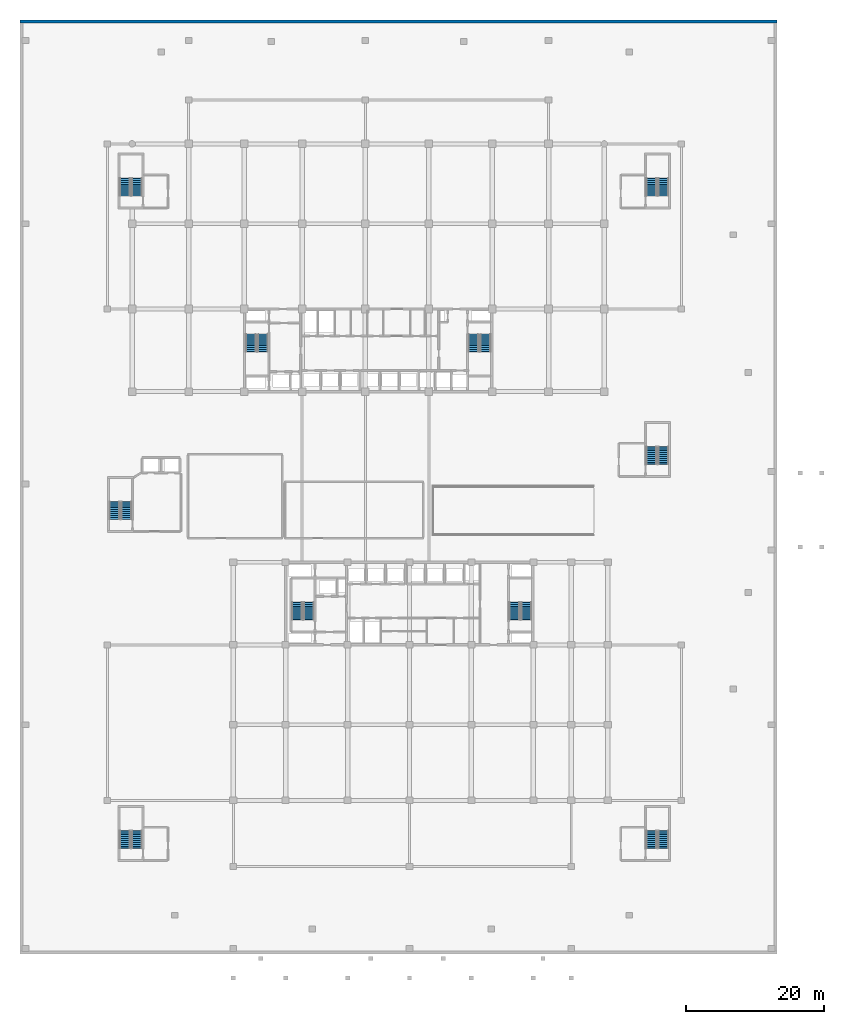
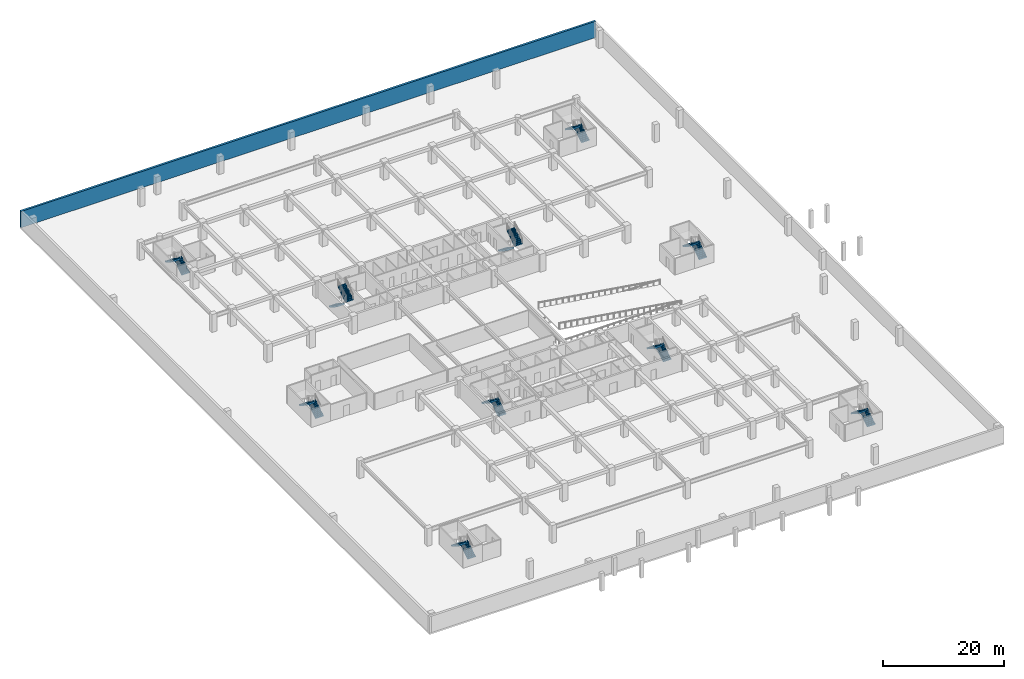
# One storey, part 14 of 22: 20 stair flights, 1 wall, 10 elements without a shape of their own.
"""IFC4 building model written with IfcOpenShell, lengths in metres."""

from ifc_helpers import new_model, si_unit, direction, frame, frame_2d, origin, place, context, subcontext, project, spatial, polyline, rectangle, outline, extrude, material, layer, layer_set, type_object, element, aggregate, save


model = new_model("IFC4")

# Units and contexts
model_context = context("Model", 3, precision=1e-05, world=origin(), true_north=direction((0.0, 1.0)))
body_context = subcontext(model_context, "Body", "Model", "MODEL_VIEW")
ifc_project = project(units=[si_unit("LENGTHUNIT", "METRE"), si_unit("AREAUNIT", "SQUARE_METRE"), si_unit("VOLUMEUNIT", "CUBIC_METRE"), si_unit("PLANEANGLEUNIT", "RADIAN"), si_unit("MASSUNIT", "GRAM", prefix="KILO")], contexts=[model_context])

# Site, building, storey
site_placement = place(None, origin())
site = spatial("IfcSite", under=ifc_project, at=site_placement, CompositionType="ELEMENT")
building_placement = place(site_placement, origin())
building = spatial("IfcBuilding", under=site, at=building_placement, Name="Korimba Cascade Residences", CompositionType="ELEMENT")
storey_placement = place(building_placement, frame((0.0, 0.0, -7.199951171875)))
storey = spatial("IfcBuildingStorey", under=building, at=storey_placement, Name="B02", CompositionType="ELEMENT", Elevation=-7.199951171875)

# Wall
ifc_material = material(Name="Concrete C50/60", Category="concrete")
ifc_layer = layer(ifc_material, 0.39990234375)
ifc_layer_set = layer_set([ifc_layer], Name="Concrete C50/60")
wall_type = type_object("IfcWallType", Name="EW-RET-400", PredefinedType="USERDEFINED", material=ifc_layer_set)
wall_placement = place(storey_placement, frame((153.5, 109.0, 0.0), z_axis=(0.0, 0.0, 1.0), x_axis=(-1.0, 0.0, 0.0)))
element("IfcWall", 1, at=wall_placement, inside=storey, type_object=wall_type, Name="B02 Basement Retaining Wall N", ObjectType="RETAININGWALL", PredefinedType="USERDEFINED", context=body_context, shape_type="SweptSolid", body=[
    extrude(rectangle(XDim=110.0, YDim=0.39990234375, at=frame_2d((55.0, 0.0))), origin(), (0.0, 0.0, 1.0), 3.300048828125),
])

# Stair, stair flights
stair_type_1 = type_object("IfcStairType", Name="STR-W1-20R-1800", PredefinedType="HALF_TURN_STAIR", material=ifc_material)
stair_1_placement = place(storey_placement, origin())
stair_1 = element("IfcStair", 2, at=stair_1_placement, inside=storey, type_object=stair_type_1, Name="B02 Tower 1 West Fire Stair ST-W1", PredefinedType="HALF_TURN_STAIR")
stair_flight_type = type_object("IfcStairFlightType", Name="STF-DL-20R-1800-1520", PredefinedType="STRAIGHT", material=ifc_material)
stair_flight_1_placement = place(storey_placement, frame((77.06005859375, 63.550048828125, 0.0), z_axis=(0.0, 0.0, 1.0), x_axis=(0.0, -1.0, 0.0)))
stair_flight_1 = element("IfcStairFlight", 3, at=stair_flight_1_placement, type_object=stair_flight_type, Name="ST-W1 flight 1", NumberOfRisers=10, NumberOfTreads=9, PredefinedType="STRAIGHT", RiserHeight=0.18, TreadLength=0.28, context=body_context, shape_type="SweptSolid", body=[
    extrude(outline(polyline([(-0.0380859375, 0.0), (0.0, 0.179931640625), (0.280029296875, 0.179931640625), (0.280029296875, 0.360107421875), (0.56005859375, 0.360107421875), (0.56005859375, 0.5400390625), (0.840087890625, 0.5400390625), (0.840087890625, 0.719970703125), (1.1201171875, 0.719970703125), (1.1201171875, 0.89990234375), (1.39990234375, 0.89990234375), (1.39990234375, 1.080078125), (1.679931640625, 1.080078125), (1.679931640625, 1.260009765625), (1.9599609375, 1.260009765625), (1.9599609375, 1.43994140625), (2.239990234375, 1.43994140625), (2.239990234375, 1.6201171875), (2.52001953125, 1.6201171875), (2.52001953125, 1.800048828125), (2.55810546875, 1.800048828125), (2.55810546875, 1.44189453125), (0.277099609375, 0.0), (0.277099609375, -0.0380859375), (-0.0380859375, -0.0380859375), (-0.0380859375, 0.0)])), frame((0.0, 0.760009765625, 0.0), z_axis=(0.0, -1.0, 0.0), x_axis=(1.0, 0.0, 0.0)), (0.0, 0.0, 1.0), 1.52001953125),
])
stair_flight_2_placement = place(storey_placement, frame((78.780029296875, 61.030029296875, 1.800048828125), z_axis=(0.0, 0.0, 1.0), x_axis=(0.0, 1.0, 0.0)))
stair_flight_2 = element("IfcStairFlight", 4, at=stair_flight_2_placement, type_object=stair_flight_type, Name="ST-W1 flight 2", NumberOfRisers=10, NumberOfTreads=9, PredefinedType="STRAIGHT", RiserHeight=0.18, TreadLength=0.28, context=body_context, shape_type="SweptSolid", body=[
    extrude(outline(polyline([(-0.0380859375, 0.0), (0.0, 0.179931640625), (0.280029296875, 0.179931640625), (0.280029296875, 0.360107421875), (0.56005859375, 0.360107421875), (0.56005859375, 0.5400390625), (0.840087890625, 0.5400390625), (0.840087890625, 0.719970703125), (1.1201171875, 0.719970703125), (1.1201171875, 0.89990234375), (1.39990234375, 0.89990234375), (1.39990234375, 1.080078125), (1.679931640625, 1.080078125), (1.679931640625, 1.260009765625), (1.9599609375, 1.260009765625), (1.9599609375, 1.43994140625), (2.239990234375, 1.43994140625), (2.239990234375, 1.6201171875), (2.52001953125, 1.6201171875), (2.52001953125, 1.800048828125), (2.55810546875, 1.800048828125), (2.55810546875, 1.44189453125), (0.277099609375, 0.0), (0.277099609375, -0.0380859375), (-0.0380859375, -0.0380859375), (-0.0380859375, 0.0)])), frame((0.0, 0.760009765625, 0.0), z_axis=(0.0, -1.0, 0.0), x_axis=(1.0, 0.0, 0.0)), (0.0, 0.0, 1.0), 1.52001953125),
])
aggregate(stair_1, [stair_flight_1, stair_flight_2])

stair_type_2 = type_object("IfcStairType", Name="STR-W2-20R-1800", PredefinedType="HALF_TURN_STAIR", material=ifc_material)
stair_2_placement = place(storey_placement, origin())
stair_2 = element("IfcStair", 5, at=stair_2_placement, inside=storey, type_object=stair_type_2, Name="B02 Tower 1 East Fire Stair ST-W2", PredefinedType="HALF_TURN_STAIR")
stair_flight_3_placement = place(storey_placement, frame((109.419921875, 63.550048828125, 0.0), z_axis=(0.0, 0.0, 1.0), x_axis=(0.0, -1.0, 0.0)))
stair_flight_3 = element("IfcStairFlight", 6, at=stair_flight_3_placement, type_object=stair_flight_type, Name="ST-W2 flight 1", NumberOfRisers=10, NumberOfTreads=9, PredefinedType="STRAIGHT", RiserHeight=0.18, TreadLength=0.28, context=body_context, shape_type="SweptSolid", body=[
    extrude(outline(polyline([(-0.0380859375, 0.0), (0.0, 0.179931640625), (0.280029296875, 0.179931640625), (0.280029296875, 0.360107421875), (0.56005859375, 0.360107421875), (0.56005859375, 0.5400390625), (0.840087890625, 0.5400390625), (0.840087890625, 0.719970703125), (1.1201171875, 0.719970703125), (1.1201171875, 0.89990234375), (1.39990234375, 0.89990234375), (1.39990234375, 1.080078125), (1.679931640625, 1.080078125), (1.679931640625, 1.260009765625), (1.9599609375, 1.260009765625), (1.9599609375, 1.43994140625), (2.239990234375, 1.43994140625), (2.239990234375, 1.6201171875), (2.52001953125, 1.6201171875), (2.52001953125, 1.800048828125), (2.55810546875, 1.800048828125), (2.55810546875, 1.44189453125), (0.277099609375, 0.0), (0.277099609375, -0.0380859375), (-0.0380859375, -0.0380859375), (-0.0380859375, 0.0)])), frame((0.0, 0.760009765625, 0.0), z_axis=(0.0, -1.0, 0.0), x_axis=(1.0, 0.0, 0.0)), (0.0, 0.0, 1.0), 1.52001953125),
])
stair_flight_4_placement = place(storey_placement, frame((111.139892578125, 61.030029296875, 1.800048828125), z_axis=(0.0, 0.0, 1.0), x_axis=(0.0, 1.0, 0.0)))
stair_flight_4 = element("IfcStairFlight", 7, at=stair_flight_4_placement, type_object=stair_flight_type, Name="ST-W2 flight 2", NumberOfRisers=10, NumberOfTreads=9, PredefinedType="STRAIGHT", RiserHeight=0.18, TreadLength=0.28, context=body_context, shape_type="SweptSolid", body=[
    extrude(outline(polyline([(-0.0380859375, 0.0), (0.0, 0.179931640625), (0.280029296875, 0.179931640625), (0.280029296875, 0.360107421875), (0.56005859375, 0.360107421875), (0.56005859375, 0.5400390625), (0.840087890625, 0.5400390625), (0.840087890625, 0.719970703125), (1.1201171875, 0.719970703125), (1.1201171875, 0.89990234375), (1.39990234375, 0.89990234375), (1.39990234375, 1.080078125), (1.679931640625, 1.080078125), (1.679931640625, 1.260009765625), (1.9599609375, 1.260009765625), (1.9599609375, 1.43994140625), (2.239990234375, 1.43994140625), (2.239990234375, 1.6201171875), (2.52001953125, 1.6201171875), (2.52001953125, 1.800048828125), (2.55810546875, 1.800048828125), (2.55810546875, 1.44189453125), (0.277099609375, 0.0), (0.277099609375, -0.0380859375), (-0.0380859375, -0.0380859375), (-0.0380859375, 0.0)])), frame((0.0, 0.760009765625, 0.0), z_axis=(0.0, -1.0, 0.0), x_axis=(1.0, 0.0, 0.0)), (0.0, 0.0, 1.0), 1.52001953125),
])
aggregate(stair_2, [stair_flight_3, stair_flight_4])

stair_type_3 = type_object("IfcStairType", Name="STR-E1-20R-1800", PredefinedType="HALF_TURN_STAIR", material=ifc_material)
stair_3_placement = place(storey_placement, origin())
stair_3 = element("IfcStair", 8, at=stair_3_placement, inside=storey, type_object=stair_type_3, Name="B02 Tower 2 West Fire Stair ST-E1", PredefinedType="HALF_TURN_STAIR")
stair_flight_5_placement = place(storey_placement, frame((85.47998046875, 22.050048828125, 0.0), z_axis=(0.0, 0.0, 1.0), x_axis=(0.0, 1.0, 0.0)))
stair_flight_5 = element("IfcStairFlight", 9, at=stair_flight_5_placement, type_object=stair_flight_type, Name="ST-E1 flight 1", NumberOfRisers=10, NumberOfTreads=9, PredefinedType="STRAIGHT", RiserHeight=0.18, TreadLength=0.28, context=body_context, shape_type="SweptSolid", body=[
    extrude(outline(polyline([(-0.0380859375, 0.0), (0.0, 0.179931640625), (0.280029296875, 0.179931640625), (0.280029296875, 0.360107421875), (0.56005859375, 0.360107421875), (0.56005859375, 0.5400390625), (0.840087890625, 0.5400390625), (0.840087890625, 0.719970703125), (1.1201171875, 0.719970703125), (1.1201171875, 0.89990234375), (1.39990234375, 0.89990234375), (1.39990234375, 1.080078125), (1.679931640625, 1.080078125), (1.679931640625, 1.260009765625), (1.9599609375, 1.260009765625), (1.9599609375, 1.43994140625), (2.239990234375, 1.43994140625), (2.239990234375, 1.6201171875), (2.52001953125, 1.6201171875), (2.52001953125, 1.800048828125), (2.55810546875, 1.800048828125), (2.55810546875, 1.44189453125), (0.277099609375, 0.0), (0.277099609375, -0.0380859375), (-0.0380859375, -0.0380859375), (-0.0380859375, 0.0)])), frame((0.0, 0.760009765625, 0.0), z_axis=(0.0, -1.0, 0.0), x_axis=(1.0, 0.0, 0.0)), (0.0, 0.0, 1.0), 1.52001953125),
])
stair_flight_6_placement = place(storey_placement, frame((83.760009765625, 24.570068359375, 1.800048828125), z_axis=(0.0, 0.0, 1.0), x_axis=(0.0, -1.0, 0.0)))
stair_flight_6 = element("IfcStairFlight", 10, at=stair_flight_6_placement, type_object=stair_flight_type, Name="ST-E1 flight 2", NumberOfRisers=10, NumberOfTreads=9, PredefinedType="STRAIGHT", RiserHeight=0.18, TreadLength=0.28, context=body_context, shape_type="SweptSolid", body=[
    extrude(outline(polyline([(-0.0380859375, 0.0), (0.0, 0.179931640625), (0.280029296875, 0.179931640625), (0.280029296875, 0.360107421875), (0.56005859375, 0.360107421875), (0.56005859375, 0.5400390625), (0.840087890625, 0.5400390625), (0.840087890625, 0.719970703125), (1.1201171875, 0.719970703125), (1.1201171875, 0.89990234375), (1.39990234375, 0.89990234375), (1.39990234375, 1.080078125), (1.679931640625, 1.080078125), (1.679931640625, 1.260009765625), (1.9599609375, 1.260009765625), (1.9599609375, 1.43994140625), (2.239990234375, 1.43994140625), (2.239990234375, 1.6201171875), (2.52001953125, 1.6201171875), (2.52001953125, 1.800048828125), (2.55810546875, 1.800048828125), (2.55810546875, 1.44189453125), (0.277099609375, 0.0), (0.277099609375, -0.0380859375), (-0.0380859375, -0.0380859375), (-0.0380859375, 0.0)])), frame((0.0, 0.760009765625, 0.0), z_axis=(0.0, -1.0, 0.0), x_axis=(1.0, 0.0, 0.0)), (0.0, 0.0, 1.0), 1.52001953125),
])
aggregate(stair_3, [stair_flight_5, stair_flight_6])

stair_type_4 = type_object("IfcStairType", Name="STR-E2-20R-1800", PredefinedType="HALF_TURN_STAIR", material=ifc_material)
stair_4_placement = place(storey_placement, origin())
stair_4 = element("IfcStair", 11, at=stair_4_placement, inside=storey, type_object=stair_type_4, Name="B02 Tower 2 East Fire Stair ST-E2", PredefinedType="HALF_TURN_STAIR")
stair_flight_7_placement = place(storey_placement, frame((117.080078125, 22.050048828125, 0.0), z_axis=(0.0, 0.0, 1.0), x_axis=(0.0, 1.0, 0.0)))
stair_flight_7 = element("IfcStairFlight", 12, at=stair_flight_7_placement, type_object=stair_flight_type, Name="ST-E2 flight 1", NumberOfRisers=10, NumberOfTreads=9, PredefinedType="STRAIGHT", RiserHeight=0.18, TreadLength=0.28, context=body_context, shape_type="SweptSolid", body=[
    extrude(outline(polyline([(-0.0380859375, 0.0), (0.0, 0.179931640625), (0.280029296875, 0.179931640625), (0.280029296875, 0.360107421875), (0.56005859375, 0.360107421875), (0.56005859375, 0.5400390625), (0.840087890625, 0.5400390625), (0.840087890625, 0.719970703125), (1.1201171875, 0.719970703125), (1.1201171875, 0.89990234375), (1.39990234375, 0.89990234375), (1.39990234375, 1.080078125), (1.679931640625, 1.080078125), (1.679931640625, 1.260009765625), (1.9599609375, 1.260009765625), (1.9599609375, 1.43994140625), (2.239990234375, 1.43994140625), (2.239990234375, 1.6201171875), (2.52001953125, 1.6201171875), (2.52001953125, 1.800048828125), (2.55810546875, 1.800048828125), (2.55810546875, 1.44189453125), (0.277099609375, 0.0), (0.277099609375, -0.0380859375), (-0.0380859375, -0.0380859375), (-0.0380859375, 0.0)])), frame((0.0, 0.760009765625, 0.0), z_axis=(0.0, -1.0, 0.0), x_axis=(1.0, 0.0, 0.0)), (0.0, 0.0, 1.0), 1.52001953125),
])
stair_flight_8_placement = place(storey_placement, frame((115.360107421875, 24.570068359375, 1.800048828125), z_axis=(0.0, 0.0, 1.0), x_axis=(0.0, -1.0, 0.0)))
stair_flight_8 = element("IfcStairFlight", 13, at=stair_flight_8_placement, type_object=stair_flight_type, Name="ST-E2 flight 2", NumberOfRisers=10, NumberOfTreads=9, PredefinedType="STRAIGHT", RiserHeight=0.18, TreadLength=0.28, context=body_context, shape_type="SweptSolid", body=[
    extrude(outline(polyline([(-0.0380859375, 0.0), (0.0, 0.179931640625), (0.280029296875, 0.179931640625), (0.280029296875, 0.360107421875), (0.56005859375, 0.360107421875), (0.56005859375, 0.5400390625), (0.840087890625, 0.5400390625), (0.840087890625, 0.719970703125), (1.1201171875, 0.719970703125), (1.1201171875, 0.89990234375), (1.39990234375, 0.89990234375), (1.39990234375, 1.080078125), (1.679931640625, 1.080078125), (1.679931640625, 1.260009765625), (1.9599609375, 1.260009765625), (1.9599609375, 1.43994140625), (2.239990234375, 1.43994140625), (2.239990234375, 1.6201171875), (2.52001953125, 1.6201171875), (2.52001953125, 1.800048828125), (2.55810546875, 1.800048828125), (2.55810546875, 1.44189453125), (0.277099609375, 0.0), (0.277099609375, -0.0380859375), (-0.0380859375, -0.0380859375), (-0.0380859375, 0.0)])), frame((0.0, 0.760009765625, 0.0), z_axis=(0.0, -1.0, 0.0), x_axis=(1.0, 0.0, 0.0)), (0.0, 0.0, 1.0), 1.52001953125),
])
aggregate(stair_4, [stair_flight_7, stair_flight_8])

stair_type_5 = type_object("IfcStairType", Name="STR-P1-20R-1800", PredefinedType="HALF_TURN_STAIR", material=ifc_material)
stair_5_placement = place(storey_placement, origin())
stair_5 = element("IfcStair", 14, at=stair_5_placement, inside=storey, type_object=stair_type_5, Name="B02 Podium West Fire Stair ST-P1", PredefinedType="HALF_TURN_STAIR")
stair_flight_9_placement = place(storey_placement, frame((58.97998046875, 36.64990234375, 0.0), z_axis=(0.0, 0.0, 1.0), x_axis=(0.0, 1.0, 0.0)))
stair_flight_9 = element("IfcStairFlight", 15, at=stair_flight_9_placement, type_object=stair_flight_type, Name="ST-P1 flight 1", NumberOfRisers=10, NumberOfTreads=9, PredefinedType="STRAIGHT", RiserHeight=0.18, TreadLength=0.28, context=body_context, shape_type="SweptSolid", body=[
    extrude(outline(polyline([(-0.0380859375, 0.0), (0.0, 0.179931640625), (0.280029296875, 0.179931640625), (0.280029296875, 0.360107421875), (0.56005859375, 0.360107421875), (0.56005859375, 0.5400390625), (0.840087890625, 0.5400390625), (0.840087890625, 0.719970703125), (1.1201171875, 0.719970703125), (1.1201171875, 0.89990234375), (1.39990234375, 0.89990234375), (1.39990234375, 1.080078125), (1.679931640625, 1.080078125), (1.679931640625, 1.260009765625), (1.9599609375, 1.260009765625), (1.9599609375, 1.43994140625), (2.239990234375, 1.43994140625), (2.239990234375, 1.6201171875), (2.52001953125, 1.6201171875), (2.52001953125, 1.800048828125), (2.55810546875, 1.800048828125), (2.55810546875, 1.44189453125), (0.277099609375, 0.0), (0.277099609375, -0.0380859375), (-0.0380859375, -0.0380859375), (-0.0380859375, 0.0)])), frame((0.0, 0.760009765625, 0.0), z_axis=(0.0, -1.0, 0.0), x_axis=(1.0, 0.0, 0.0)), (0.0, 0.0, 1.0), 1.52001953125),
])
stair_flight_10_placement = place(storey_placement, frame((57.260009765625, 39.169921875, 1.800048828125), z_axis=(0.0, 0.0, 1.0), x_axis=(0.0, -1.0, 0.0)))
stair_flight_10 = element("IfcStairFlight", 16, at=stair_flight_10_placement, type_object=stair_flight_type, Name="ST-P1 flight 2", NumberOfRisers=10, NumberOfTreads=9, PredefinedType="STRAIGHT", RiserHeight=0.18, TreadLength=0.28, context=body_context, shape_type="SweptSolid", body=[
    extrude(outline(polyline([(-0.0380859375, 0.0), (0.0, 0.179931640625), (0.280029296875, 0.179931640625), (0.280029296875, 0.360107421875), (0.56005859375, 0.360107421875), (0.56005859375, 0.5400390625), (0.840087890625, 0.5400390625), (0.840087890625, 0.719970703125), (1.1201171875, 0.719970703125), (1.1201171875, 0.89990234375), (1.39990234375, 0.89990234375), (1.39990234375, 1.080078125), (1.679931640625, 1.080078125), (1.679931640625, 1.260009765625), (1.9599609375, 1.260009765625), (1.9599609375, 1.43994140625), (2.239990234375, 1.43994140625), (2.239990234375, 1.6201171875), (2.52001953125, 1.6201171875), (2.52001953125, 1.800048828125), (2.55810546875, 1.800048828125), (2.55810546875, 1.44189453125), (0.277099609375, 0.0), (0.277099609375, -0.0380859375), (-0.0380859375, -0.0380859375), (-0.0380859375, 0.0)])), frame((0.0, 0.760009765625, 0.0), z_axis=(0.0, -1.0, 0.0), x_axis=(1.0, 0.0, 0.0)), (0.0, 0.0, 1.0), 1.52001953125),
])
aggregate(stair_5, [stair_flight_9, stair_flight_10])

stair_type_6 = type_object("IfcStairType", Name="STR-P2-20R-1800", PredefinedType="HALF_TURN_STAIR", material=ifc_material)
stair_6_placement = place(storey_placement, origin())
stair_6 = element("IfcStair", 17, at=stair_6_placement, inside=storey, type_object=stair_type_6, Name="B02 Podium East Fire Stair ST-P2", PredefinedType="HALF_TURN_STAIR")
stair_flight_11_placement = place(storey_placement, frame((136.97998046875, 44.64990234375, 0.0), z_axis=(0.0, 0.0, 1.0), x_axis=(0.0, 1.0, 0.0)))
stair_flight_11 = element("IfcStairFlight", 18, at=stair_flight_11_placement, type_object=stair_flight_type, Name="ST-P2 flight 1", NumberOfRisers=10, NumberOfTreads=9, PredefinedType="STRAIGHT", RiserHeight=0.18, TreadLength=0.28, context=body_context, shape_type="SweptSolid", body=[
    extrude(outline(polyline([(-0.0380859375, 0.0), (0.0, 0.179931640625), (0.280029296875, 0.179931640625), (0.280029296875, 0.360107421875), (0.56005859375, 0.360107421875), (0.56005859375, 0.5400390625), (0.840087890625, 0.5400390625), (0.840087890625, 0.719970703125), (1.1201171875, 0.719970703125), (1.1201171875, 0.89990234375), (1.39990234375, 0.89990234375), (1.39990234375, 1.080078125), (1.679931640625, 1.080078125), (1.679931640625, 1.260009765625), (1.9599609375, 1.260009765625), (1.9599609375, 1.43994140625), (2.239990234375, 1.43994140625), (2.239990234375, 1.6201171875), (2.52001953125, 1.6201171875), (2.52001953125, 1.800048828125), (2.55810546875, 1.800048828125), (2.55810546875, 1.44189453125), (0.277099609375, 0.0), (0.277099609375, -0.0380859375), (-0.0380859375, -0.0380859375), (-0.0380859375, 0.0)])), frame((0.0, 0.760009765625, 0.0), z_axis=(0.0, -1.0, 0.0), x_axis=(1.0, 0.0, 0.0)), (0.0, 0.0, 1.0), 1.52001953125),
])
stair_flight_12_placement = place(storey_placement, frame((135.260009765625, 47.169921875, 1.800048828125), z_axis=(0.0, 0.0, 1.0), x_axis=(0.0, -1.0, 0.0)))
stair_flight_12 = element("IfcStairFlight", 19, at=stair_flight_12_placement, type_object=stair_flight_type, Name="ST-P2 flight 2", NumberOfRisers=10, NumberOfTreads=9, PredefinedType="STRAIGHT", RiserHeight=0.18, TreadLength=0.28, context=body_context, shape_type="SweptSolid", body=[
    extrude(outline(polyline([(-0.0380859375, 0.0), (0.0, 0.179931640625), (0.280029296875, 0.179931640625), (0.280029296875, 0.360107421875), (0.56005859375, 0.360107421875), (0.56005859375, 0.5400390625), (0.840087890625, 0.5400390625), (0.840087890625, 0.719970703125), (1.1201171875, 0.719970703125), (1.1201171875, 0.89990234375), (1.39990234375, 0.89990234375), (1.39990234375, 1.080078125), (1.679931640625, 1.080078125), (1.679931640625, 1.260009765625), (1.9599609375, 1.260009765625), (1.9599609375, 1.43994140625), (2.239990234375, 1.43994140625), (2.239990234375, 1.6201171875), (2.52001953125, 1.6201171875), (2.52001953125, 1.800048828125), (2.55810546875, 1.800048828125), (2.55810546875, 1.44189453125), (0.277099609375, 0.0), (0.277099609375, -0.0380859375), (-0.0380859375, -0.0380859375), (-0.0380859375, 0.0)])), frame((0.0, 0.760009765625, 0.0), z_axis=(0.0, -1.0, 0.0), x_axis=(1.0, 0.0, 0.0)), (0.0, 0.0, 1.0), 1.52001953125),
])
aggregate(stair_6, [stair_flight_11, stair_flight_12])

stair_type_7 = type_object("IfcStairType", Name="STR-P3-20R-1800", PredefinedType="HALF_TURN_STAIR", material=ifc_material)
stair_7_placement = place(storey_placement, origin())
stair_7 = element("IfcStair", 20, at=stair_7_placement, inside=storey, type_object=stair_type_7, Name="B02 Podium South-West Corner Fire Stair ST-P3", PredefinedType="HALF_TURN_STAIR")
stair_flight_13_placement = place(storey_placement, frame((60.47998046875, -11.14990234375, 0.0), z_axis=(0.0, 0.0, 1.0), x_axis=(0.0, 1.0, 0.0)))
stair_flight_13 = element("IfcStairFlight", 21, at=stair_flight_13_placement, type_object=stair_flight_type, Name="ST-P3 flight 1", NumberOfRisers=10, NumberOfTreads=9, PredefinedType="STRAIGHT", RiserHeight=0.18, TreadLength=0.28, context=body_context, shape_type="SweptSolid", body=[
    extrude(outline(polyline([(-0.0380859375, 0.0), (0.0, 0.179931640625), (0.280029296875, 0.179931640625), (0.280029296875, 0.360107421875), (0.56005859375, 0.360107421875), (0.56005859375, 0.5400390625), (0.840087890625, 0.5400390625), (0.840087890625, 0.719970703125), (1.1201171875, 0.719970703125), (1.1201171875, 0.89990234375), (1.39990234375, 0.89990234375), (1.39990234375, 1.080078125), (1.679931640625, 1.080078125), (1.679931640625, 1.260009765625), (1.9599609375, 1.260009765625), (1.9599609375, 1.43994140625), (2.239990234375, 1.43994140625), (2.239990234375, 1.6201171875), (2.52001953125, 1.6201171875), (2.52001953125, 1.800048828125), (2.55810546875, 1.800048828125), (2.55810546875, 1.44189453125), (0.277099609375, 0.0), (0.277099609375, -0.0380859375), (-0.0380859375, -0.0380859375), (-0.0380859375, 0.0)])), frame((0.0, 0.760009765625, 0.0), z_axis=(0.0, -1.0, 0.0), x_axis=(1.0, 0.0, 0.0)), (0.0, 0.0, 1.0), 1.52001953125),
])
stair_flight_14_placement = place(storey_placement, frame((58.760009765625, -8.6298828125, 1.800048828125), z_axis=(0.0, 0.0, 1.0), x_axis=(0.0, -1.0, 0.0)))
stair_flight_14 = element("IfcStairFlight", 22, at=stair_flight_14_placement, type_object=stair_flight_type, Name="ST-P3 flight 2", NumberOfRisers=10, NumberOfTreads=9, PredefinedType="STRAIGHT", RiserHeight=0.18, TreadLength=0.28, context=body_context, shape_type="SweptSolid", body=[
    extrude(outline(polyline([(-0.0380859375, 0.0), (0.0, 0.179931640625), (0.280029296875, 0.179931640625), (0.280029296875, 0.360107421875), (0.56005859375, 0.360107421875), (0.56005859375, 0.5400390625), (0.840087890625, 0.5400390625), (0.840087890625, 0.719970703125), (1.1201171875, 0.719970703125), (1.1201171875, 0.89990234375), (1.39990234375, 0.89990234375), (1.39990234375, 1.080078125), (1.679931640625, 1.080078125), (1.679931640625, 1.260009765625), (1.9599609375, 1.260009765625), (1.9599609375, 1.43994140625), (2.239990234375, 1.43994140625), (2.239990234375, 1.6201171875), (2.52001953125, 1.6201171875), (2.52001953125, 1.800048828125), (2.55810546875, 1.800048828125), (2.55810546875, 1.44189453125), (0.277099609375, 0.0), (0.277099609375, -0.0380859375), (-0.0380859375, -0.0380859375), (-0.0380859375, 0.0)])), frame((0.0, 0.760009765625, 0.0), z_axis=(0.0, -1.0, 0.0), x_axis=(1.0, 0.0, 0.0)), (0.0, 0.0, 1.0), 1.52001953125),
])
aggregate(stair_7, [stair_flight_13, stair_flight_14])

stair_type_8 = type_object("IfcStairType", Name="STR-P4-20R-1800", PredefinedType="HALF_TURN_STAIR", material=ifc_material)
stair_8_placement = place(storey_placement, origin())
stair_8 = element("IfcStair", 23, at=stair_8_placement, inside=storey, type_object=stair_type_8, Name="B02 Podium North-East Corner Fire Stair ST-P4", PredefinedType="HALF_TURN_STAIR")
stair_flight_15_placement = place(storey_placement, frame((136.97998046875, 83.64990234375, 0.0), z_axis=(0.0, 0.0, 1.0), x_axis=(0.0, 1.0, 0.0)))
stair_flight_15 = element("IfcStairFlight", 24, at=stair_flight_15_placement, type_object=stair_flight_type, Name="ST-P4 flight 1", NumberOfRisers=10, NumberOfTreads=9, PredefinedType="STRAIGHT", RiserHeight=0.18, TreadLength=0.28, context=body_context, shape_type="SweptSolid", body=[
    extrude(outline(polyline([(-0.0380859375, 0.0), (0.0, 0.179931640625), (0.280029296875, 0.179931640625), (0.280029296875, 0.360107421875), (0.56005859375, 0.360107421875), (0.56005859375, 0.5400390625), (0.840087890625, 0.5400390625), (0.840087890625, 0.719970703125), (1.1201171875, 0.719970703125), (1.1201171875, 0.89990234375), (1.39990234375, 0.89990234375), (1.39990234375, 1.080078125), (1.679931640625, 1.080078125), (1.679931640625, 1.260009765625), (1.9599609375, 1.260009765625), (1.9599609375, 1.43994140625), (2.239990234375, 1.43994140625), (2.239990234375, 1.6201171875), (2.52001953125, 1.6201171875), (2.52001953125, 1.800048828125), (2.55810546875, 1.800048828125), (2.55810546875, 1.44189453125), (0.277099609375, 0.0), (0.277099609375, -0.0380859375), (-0.0380859375, -0.0380859375), (-0.0380859375, 0.0)])), frame((0.0, 0.760009765625, 0.0), z_axis=(0.0, -1.0, 0.0), x_axis=(1.0, 0.0, 0.0)), (0.0, 0.0, 1.0), 1.52001953125),
])
stair_flight_16_placement = place(storey_placement, frame((135.260009765625, 86.169921875, 1.800048828125), z_axis=(0.0, 0.0, 1.0), x_axis=(0.0, -1.0, 0.0)))
stair_flight_16 = element("IfcStairFlight", 25, at=stair_flight_16_placement, type_object=stair_flight_type, Name="ST-P4 flight 2", NumberOfRisers=10, NumberOfTreads=9, PredefinedType="STRAIGHT", RiserHeight=0.18, TreadLength=0.28, context=body_context, shape_type="SweptSolid", body=[
    extrude(outline(polyline([(-0.0380859375, 0.0), (0.0, 0.179931640625), (0.280029296875, 0.179931640625), (0.280029296875, 0.360107421875), (0.56005859375, 0.360107421875), (0.56005859375, 0.5400390625), (0.840087890625, 0.5400390625), (0.840087890625, 0.719970703125), (1.1201171875, 0.719970703125), (1.1201171875, 0.89990234375), (1.39990234375, 0.89990234375), (1.39990234375, 1.080078125), (1.679931640625, 1.080078125), (1.679931640625, 1.260009765625), (1.9599609375, 1.260009765625), (1.9599609375, 1.43994140625), (2.239990234375, 1.43994140625), (2.239990234375, 1.6201171875), (2.52001953125, 1.6201171875), (2.52001953125, 1.800048828125), (2.55810546875, 1.800048828125), (2.55810546875, 1.44189453125), (0.277099609375, 0.0), (0.277099609375, -0.0380859375), (-0.0380859375, -0.0380859375), (-0.0380859375, 0.0)])), frame((0.0, 0.760009765625, 0.0), z_axis=(0.0, -1.0, 0.0), x_axis=(1.0, 0.0, 0.0)), (0.0, 0.0, 1.0), 1.52001953125),
])
aggregate(stair_8, [stair_flight_15, stair_flight_16])

stair_type_9 = type_object("IfcStairType", Name="STR-P5-20R-1800", PredefinedType="HALF_TURN_STAIR", material=ifc_material)
stair_9_placement = place(storey_placement, origin())
stair_9 = element("IfcStair", 26, at=stair_9_placement, inside=storey, type_object=stair_type_9, Name="B02 Podium North-West Corner Fire Stair ST-P5", PredefinedType="HALF_TURN_STAIR")
stair_flight_17_placement = place(storey_placement, frame((60.47998046875, 83.64990234375, 0.0), z_axis=(0.0, 0.0, 1.0), x_axis=(0.0, 1.0, 0.0)))
stair_flight_17 = element("IfcStairFlight", 27, at=stair_flight_17_placement, type_object=stair_flight_type, Name="ST-P5 flight 1", NumberOfRisers=10, NumberOfTreads=9, PredefinedType="STRAIGHT", RiserHeight=0.18, TreadLength=0.28, context=body_context, shape_type="SweptSolid", body=[
    extrude(outline(polyline([(-0.0380859375, 0.0), (0.0, 0.179931640625), (0.280029296875, 0.179931640625), (0.280029296875, 0.360107421875), (0.56005859375, 0.360107421875), (0.56005859375, 0.5400390625), (0.840087890625, 0.5400390625), (0.840087890625, 0.719970703125), (1.1201171875, 0.719970703125), (1.1201171875, 0.89990234375), (1.39990234375, 0.89990234375), (1.39990234375, 1.080078125), (1.679931640625, 1.080078125), (1.679931640625, 1.260009765625), (1.9599609375, 1.260009765625), (1.9599609375, 1.43994140625), (2.239990234375, 1.43994140625), (2.239990234375, 1.6201171875), (2.52001953125, 1.6201171875), (2.52001953125, 1.800048828125), (2.55810546875, 1.800048828125), (2.55810546875, 1.44189453125), (0.277099609375, 0.0), (0.277099609375, -0.0380859375), (-0.0380859375, -0.0380859375), (-0.0380859375, 0.0)])), frame((0.0, 0.760009765625, 0.0), z_axis=(0.0, -1.0, 0.0), x_axis=(1.0, 0.0, 0.0)), (0.0, 0.0, 1.0), 1.52001953125),
])
stair_flight_18_placement = place(storey_placement, frame((58.760009765625, 86.169921875, 1.800048828125), z_axis=(0.0, 0.0, 1.0), x_axis=(0.0, -1.0, 0.0)))
stair_flight_18 = element("IfcStairFlight", 28, at=stair_flight_18_placement, type_object=stair_flight_type, Name="ST-P5 flight 2", NumberOfRisers=10, NumberOfTreads=9, PredefinedType="STRAIGHT", RiserHeight=0.18, TreadLength=0.28, context=body_context, shape_type="SweptSolid", body=[
    extrude(outline(polyline([(-0.0380859375, 0.0), (0.0, 0.179931640625), (0.280029296875, 0.179931640625), (0.280029296875, 0.360107421875), (0.56005859375, 0.360107421875), (0.56005859375, 0.5400390625), (0.840087890625, 0.5400390625), (0.840087890625, 0.719970703125), (1.1201171875, 0.719970703125), (1.1201171875, 0.89990234375), (1.39990234375, 0.89990234375), (1.39990234375, 1.080078125), (1.679931640625, 1.080078125), (1.679931640625, 1.260009765625), (1.9599609375, 1.260009765625), (1.9599609375, 1.43994140625), (2.239990234375, 1.43994140625), (2.239990234375, 1.6201171875), (2.52001953125, 1.6201171875), (2.52001953125, 1.800048828125), (2.55810546875, 1.800048828125), (2.55810546875, 1.44189453125), (0.277099609375, 0.0), (0.277099609375, -0.0380859375), (-0.0380859375, -0.0380859375), (-0.0380859375, 0.0)])), frame((0.0, 0.760009765625, 0.0), z_axis=(0.0, -1.0, 0.0), x_axis=(1.0, 0.0, 0.0)), (0.0, 0.0, 1.0), 1.52001953125),
])
aggregate(stair_9, [stair_flight_17, stair_flight_18])

stair_type_10 = type_object("IfcStairType", Name="STR-P6-20R-1800", PredefinedType="HALF_TURN_STAIR", material=ifc_material)
stair_10_placement = place(storey_placement, origin())
stair_10 = element("IfcStair", 29, at=stair_10_placement, inside=storey, type_object=stair_type_10, Name="B02 Podium South-East Corner Fire Stair ST-P6", PredefinedType="HALF_TURN_STAIR")
stair_flight_19_placement = place(storey_placement, frame((136.97998046875, -11.14990234375, 0.0), z_axis=(0.0, 0.0, 1.0), x_axis=(0.0, 1.0, 0.0)))
stair_flight_19 = element("IfcStairFlight", 30, at=stair_flight_19_placement, type_object=stair_flight_type, Name="ST-P6 flight 1", NumberOfRisers=10, NumberOfTreads=9, PredefinedType="STRAIGHT", RiserHeight=0.18, TreadLength=0.28, context=body_context, shape_type="SweptSolid", body=[
    extrude(outline(polyline([(-0.0380859375, 0.0), (0.0, 0.179931640625), (0.280029296875, 0.179931640625), (0.280029296875, 0.360107421875), (0.56005859375, 0.360107421875), (0.56005859375, 0.5400390625), (0.840087890625, 0.5400390625), (0.840087890625, 0.719970703125), (1.1201171875, 0.719970703125), (1.1201171875, 0.89990234375), (1.39990234375, 0.89990234375), (1.39990234375, 1.080078125), (1.679931640625, 1.080078125), (1.679931640625, 1.260009765625), (1.9599609375, 1.260009765625), (1.9599609375, 1.43994140625), (2.239990234375, 1.43994140625), (2.239990234375, 1.6201171875), (2.52001953125, 1.6201171875), (2.52001953125, 1.800048828125), (2.55810546875, 1.800048828125), (2.55810546875, 1.44189453125), (0.277099609375, 0.0), (0.277099609375, -0.0380859375), (-0.0380859375, -0.0380859375), (-0.0380859375, 0.0)])), frame((0.0, 0.760009765625, 0.0), z_axis=(0.0, -1.0, 0.0), x_axis=(1.0, 0.0, 0.0)), (0.0, 0.0, 1.0), 1.52001953125),
])
stair_flight_20_placement = place(storey_placement, frame((135.260009765625, -8.6298828125, 1.800048828125), z_axis=(0.0, 0.0, 1.0), x_axis=(0.0, -1.0, 0.0)))
stair_flight_20 = element("IfcStairFlight", 31, at=stair_flight_20_placement, type_object=stair_flight_type, Name="ST-P6 flight 2", NumberOfRisers=10, NumberOfTreads=9, PredefinedType="STRAIGHT", RiserHeight=0.18, TreadLength=0.28, context=body_context, shape_type="SweptSolid", body=[
    extrude(outline(polyline([(-0.0380859375, 0.0), (0.0, 0.179931640625), (0.280029296875, 0.179931640625), (0.280029296875, 0.360107421875), (0.56005859375, 0.360107421875), (0.56005859375, 0.5400390625), (0.840087890625, 0.5400390625), (0.840087890625, 0.719970703125), (1.1201171875, 0.719970703125), (1.1201171875, 0.89990234375), (1.39990234375, 0.89990234375), (1.39990234375, 1.080078125), (1.679931640625, 1.080078125), (1.679931640625, 1.260009765625), (1.9599609375, 1.260009765625), (1.9599609375, 1.43994140625), (2.239990234375, 1.43994140625), (2.239990234375, 1.6201171875), (2.52001953125, 1.6201171875), (2.52001953125, 1.800048828125), (2.55810546875, 1.800048828125), (2.55810546875, 1.44189453125), (0.277099609375, 0.0), (0.277099609375, -0.0380859375), (-0.0380859375, -0.0380859375), (-0.0380859375, 0.0)])), frame((0.0, 0.760009765625, 0.0), z_axis=(0.0, -1.0, 0.0), x_axis=(1.0, 0.0, 0.0)), (0.0, 0.0, 1.0), 1.52001953125),
])
aggregate(stair_10, [stair_flight_19, stair_flight_20])

save(model, "model.ifc")
